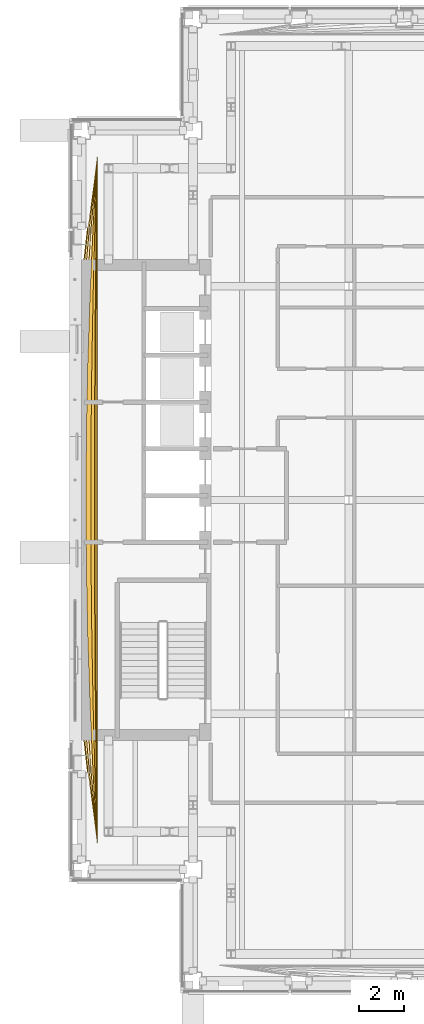
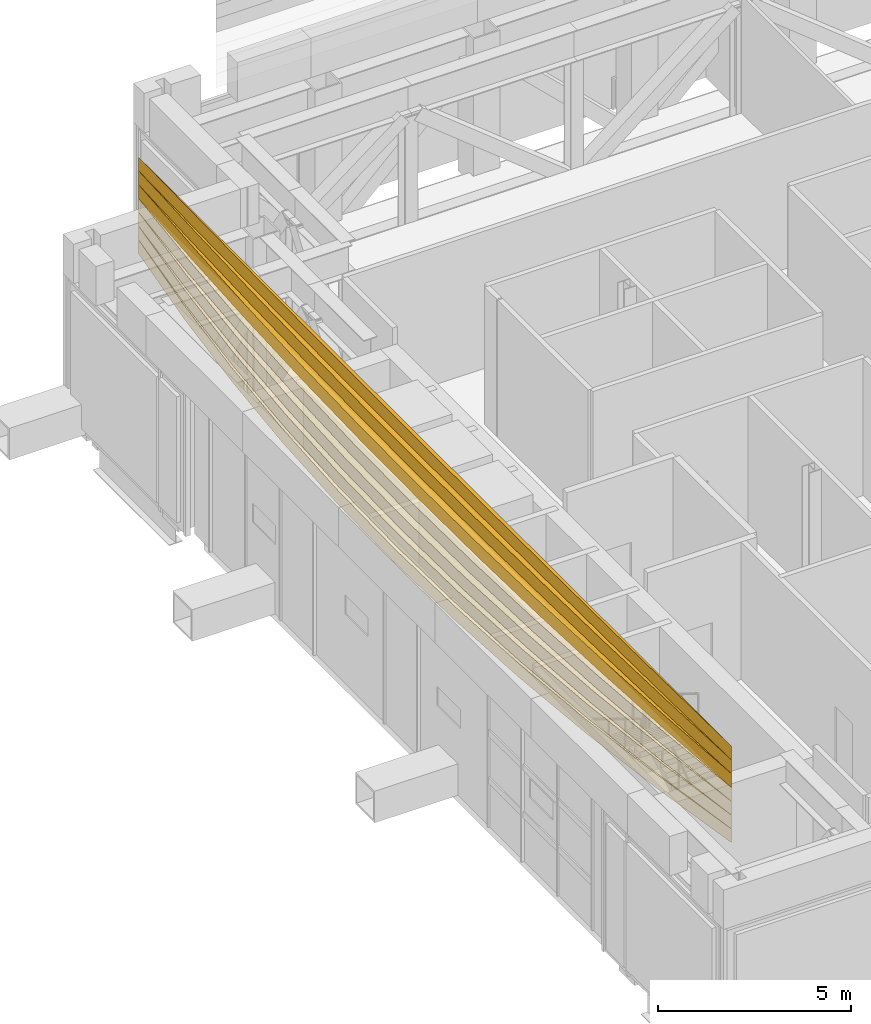
# One storey, part 20 of 29: 7 coverings.
"""IFC4 building model written with IfcOpenShell, lengths in metres."""

from ifc_helpers import new_model, si_unit, direction, frame, origin, place, context, subcontext, project, spatial, polyline, outline, extrude, material, type_object, element, save


model = new_model("IFC4")

# Units and contexts
model_context = context("Model", 3, precision=1e-05, world=origin(), true_north=direction((0.0, 1.0)))
body_context = subcontext(model_context, "Body", "Model", "MODEL_VIEW")
ifc_project = project(units=[si_unit("LENGTHUNIT", "METRE"), si_unit("AREAUNIT", "SQUARE_METRE"), si_unit("VOLUMEUNIT", "CUBIC_METRE"), si_unit("PLANEANGLEUNIT", "RADIAN"), si_unit("MASSUNIT", "GRAM", prefix="KILO")], contexts=[model_context])

# Site, building, storey
site_placement = place(None, origin())
site = spatial("IfcSite", under=ifc_project, at=site_placement, CompositionType="ELEMENT")
building_placement = place(site_placement, origin())
building = spatial("IfcBuilding", under=site, at=building_placement, Name="Cobrizo Arcos Hotel Tower", CompositionType="ELEMENT")
storey_placement = place(building_placement, frame((0.0, 0.0, 186.5)))
storey = spatial("IfcBuildingStorey", under=building, at=storey_placement, Name="L48", CompositionType="ELEMENT", Elevation=186.5)

# Coverings
ifc_material = material(Name="Aluminium 6063-T6 anodised pale", Category="aluminium")
covering_type = type_object("IfcCoveringType", Name="LF-2 setback roll course", PredefinedType="CLADDING", material=ifc_material)
covering_1_placement = place(storey_placement, frame((0.0, 0.0, 5.75)))
element("IfcCovering", 1, at=covering_1_placement, inside=storey, type_object=covering_type, Name="Setback roll L48 W", PredefinedType="CLADDING", context=body_context, shape_type="SweptSolid", body=[
    extrude(outline(polyline([(-20.89990234375, 15.39990234375), (-21.344970703125, 12.320068359375), (-21.69091796875, 9.239990234375), (-21.938232421875, 6.159912109375), (-22.08642578125, 3.080078125), (-22.135986328125, 0.0), (-22.08642578125, -3.080078125), (-21.938232421875, -6.159912109375), (-21.69091796875, -9.239990234375), (-21.344970703125, -12.320068359375), (-20.89990234375, -15.39990234375), (-20.89990234375, -15.39990234375), (-20.89990234375, 15.39990234375)])), origin(), (0.0, 0.0, 1.0), 0.4375),
])
covering_2_placement = place(storey_placement, frame((0.0, 0.0, 6.1875)))
element("IfcCovering", 2, at=covering_2_placement, inside=storey, type_object=covering_type, Name="Setback roll L48 W", PredefinedType="CLADDING", context=body_context, shape_type="SweptSolid", body=[
    extrude(outline(polyline([(-20.89990234375, 15.39990234375), (-21.30859375, 12.320068359375), (-21.626220703125, 9.239990234375), (-21.85302734375, 6.159912109375), (-21.9892578125, 3.080078125), (-22.03466796875, 0.0), (-21.9892578125, -3.080078125), (-21.85302734375, -6.159912109375), (-21.626220703125, -9.239990234375), (-21.30859375, -12.320068359375), (-20.89990234375, -15.39990234375), (-20.89990234375, -15.39990234375), (-20.89990234375, 15.39990234375)])), origin(), (0.0, 0.0, 1.0), 0.4375),
])
covering_3_placement = place(storey_placement, frame((0.0, 0.0, 6.625)))
element("IfcCovering", 3, at=covering_3_placement, inside=storey, type_object=covering_type, Name="Setback roll L48 W", PredefinedType="CLADDING", context=body_context, shape_type="SweptSolid", body=[
    extrude(outline(polyline([(-20.89990234375, 15.39990234375), (-21.24560546875, 12.320068359375), (-21.514404296875, 9.239990234375), (-21.70654296875, 6.159912109375), (-21.82177734375, 3.080078125), (-21.860107421875, 0.0), (-21.82177734375, -3.080078125), (-21.70654296875, -6.159912109375), (-21.514404296875, -9.239990234375), (-21.24560546875, -12.320068359375), (-20.89990234375, -15.39990234375), (-20.89990234375, -15.39990234375), (-20.89990234375, 15.39990234375)])), origin(), (0.0, 0.0, 1.0), 0.4375),
])
covering_4_placement = place(storey_placement, frame((0.0, 0.0, 7.0625)))
element("IfcCovering", 4, at=covering_4_placement, inside=storey, type_object=covering_type, Name="Setback roll L48 W", PredefinedType="CLADDING", context=body_context, shape_type="SweptSolid", body=[
    extrude(outline(polyline([(-20.89990234375, 15.39990234375), (-21.1669921875, 12.320068359375), (-21.37451171875, 9.239990234375), (-21.52294921875, 6.159912109375), (-21.61181640625, 3.080078125), (-21.6416015625, 0.0), (-21.61181640625, -3.080078125), (-21.52294921875, -6.159912109375), (-21.37451171875, -9.239990234375), (-21.1669921875, -12.320068359375), (-20.89990234375, -15.39990234375), (-20.89990234375, -15.39990234375), (-20.89990234375, 15.39990234375)])), origin(), (0.0, 0.0, 1.0), 0.4375),
])
covering_5_placement = place(storey_placement, frame((0.0, 0.0, 7.5)))
element("IfcCovering", 5, at=covering_5_placement, inside=storey, type_object=covering_type, Name="Setback roll L48 W", PredefinedType="CLADDING", context=body_context, shape_type="SweptSolid", body=[
    extrude(outline(polyline([(-20.89990234375, 15.39990234375), (-21.0830078125, 12.320068359375), (-21.225341796875, 9.239990234375), (-21.3271484375, 6.159912109375), (-21.38818359375, 3.080078125), (-21.408447265625, 0.0), (-21.38818359375, -3.080078125), (-21.3271484375, -6.159912109375), (-21.225341796875, -9.239990234375), (-21.0830078125, -12.320068359375), (-20.89990234375, -15.39990234375), (-20.89990234375, -15.39990234375), (-20.89990234375, 15.39990234375)])), origin(), (0.0, 0.0, 1.0), 0.4375),
])
covering_6_placement = place(storey_placement, frame((0.0, 0.0, 7.9375)))
element("IfcCovering", 6, at=covering_6_placement, inside=storey, type_object=covering_type, Name="Setback roll L48 W", PredefinedType="CLADDING", context=body_context, shape_type="SweptSolid", body=[
    extrude(outline(polyline([(-20.89990234375, 15.39990234375), (-21.00439453125, 12.320068359375), (-21.08544921875, 9.239990234375), (-21.1435546875, 6.159912109375), (-21.17822265625, 3.080078125), (-21.18994140625, 0.0), (-21.17822265625, -3.080078125), (-21.1435546875, -6.159912109375), (-21.08544921875, -9.239990234375), (-21.00439453125, -12.320068359375), (-20.89990234375, -15.39990234375), (-20.89990234375, -15.39990234375), (-20.89990234375, 15.39990234375)])), origin(), (0.0, 0.0, 1.0), 0.4375),
])
covering_7_placement = place(storey_placement, frame((0.0, 0.0, 8.375)))
element("IfcCovering", 7, at=covering_7_placement, inside=storey, type_object=covering_type, Name="Setback roll L48 W", PredefinedType="CLADDING", context=body_context, shape_type="SweptSolid", body=[
    extrude(outline(polyline([(-20.89990234375, 15.39990234375), (-20.94140625, 12.320068359375), (-20.973876953125, 9.239990234375), (-20.996826171875, 6.159912109375), (-21.0107421875, 3.080078125), (-21.015380859375, 0.0), (-21.0107421875, -3.080078125), (-20.996826171875, -6.159912109375), (-20.973876953125, -9.239990234375), (-20.94140625, -12.320068359375), (-20.89990234375, -15.39990234375), (-20.89990234375, -15.39990234375), (-20.89990234375, 15.39990234375)])), origin(), (0.0, 0.0, 1.0), 0.4375),
])

save(model, "model.ifc")
